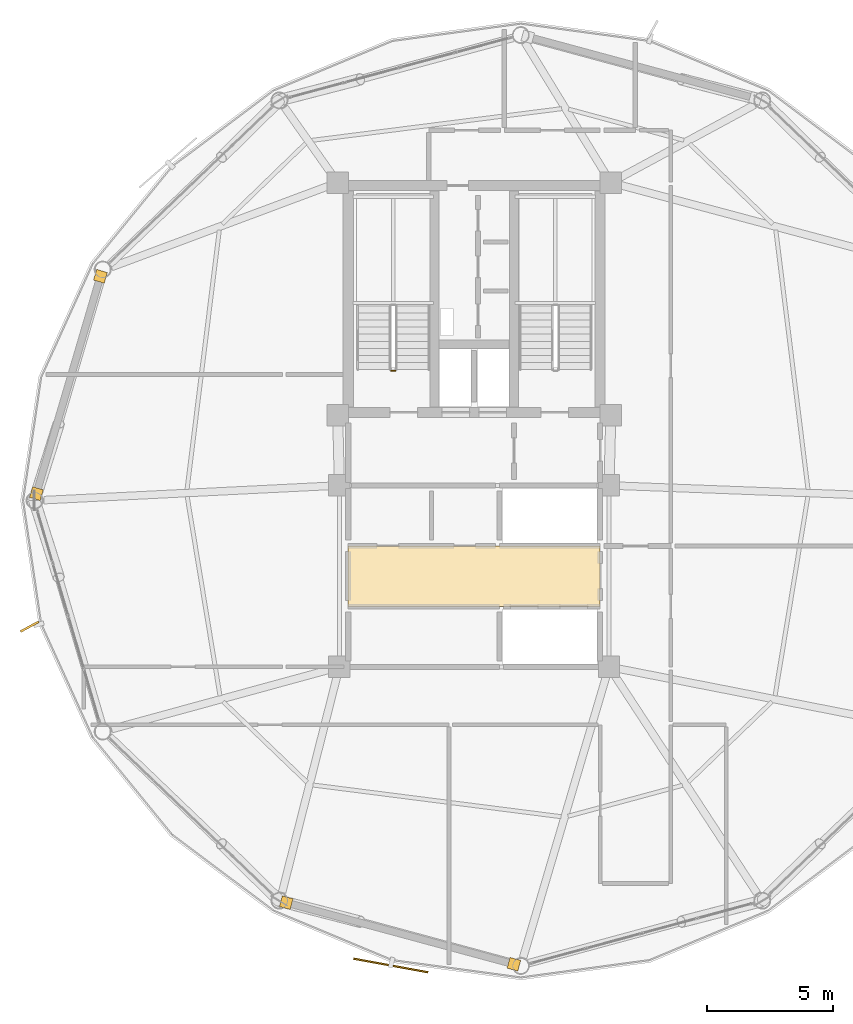
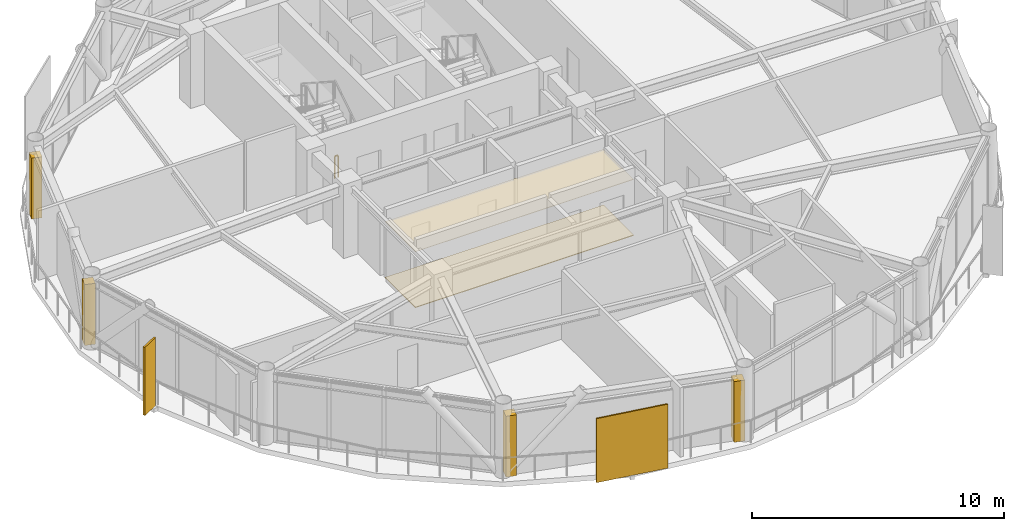
# One storey, part 25 of 28: 6 coverings, 2 shading devices, 1 railing.
"""IFC4 building model written with IfcOpenShell, lengths in metres."""

from ifc_helpers import new_model, si_unit, direction, frame, origin, origin_2d, place, context, subcontext, project, spatial, polyline, rectangle, outline, extrude, source, transform, mapped, material, layer, layer_set, type_object, type_shapes, element, save


model = new_model("IFC4")

# Units and contexts
model_context = context("Model", 3, precision=1e-05, world=origin(), true_north=direction((0.0, 1.0)))
body_context = subcontext(model_context, "Body", "Model", "MODEL_VIEW")
ifc_project = project(units=[si_unit("LENGTHUNIT", "METRE"), si_unit("AREAUNIT", "SQUARE_METRE"), si_unit("VOLUMEUNIT", "CUBIC_METRE"), si_unit("PLANEANGLEUNIT", "RADIAN"), si_unit("MASSUNIT", "GRAM", prefix="KILO")], contexts=[model_context])

# Site, building, storey
site_placement = place(None, origin())
site = spatial("IfcSite", under=ifc_project, at=site_placement, CompositionType="ELEMENT")
building_placement = place(site_placement, origin())
building = spatial("IfcBuilding", under=site, at=building_placement, Name="Varnakorn Sky Granary", CompositionType="ELEMENT")
storey_placement = place(building_placement, frame((0.0, 0.0, 204.0)))
storey = spatial("IfcBuildingStorey", under=building, at=storey_placement, Name="L51", CompositionType="ELEMENT", Elevation=204.0)

# Coverings
ifc_material_1 = material(Name="Perforated Acoustic Mineral-Fibre Ceiling", Category="gypsum")
ifc_layer_1 = layer(ifc_material_1, 0.02001953125, Name="Perforated Acoustic Mineral-Fibre Ceiling")
ifc_layer_set_1 = layer_set([ifc_layer_1], Name="Perforated Acoustic Mineral-Fibre Ceiling")
covering_type_1 = type_object("IfcCoveringType", Name="CV-CEIL-20", PredefinedType="CEILING", material=ifc_layer_set_1)
covering_1_placement = place(storey_placement, frame((0.0, 0.0, 2.7099609375)))
element("IfcCovering", 1, at=covering_1_placement, inside=storey, type_object=covering_type_1, Name="Lift Lobby Perforated Acoustic Ceiling L51", PredefinedType="CEILING", context=body_context, shape_type="SweptSolid", body=[
    extrude(outline(polyline([(-2.0, -4.199951171875), (8.0, -4.199951171875), (8.0, -1.800048828125), (-2.0, -1.800048828125), (-2.0, -4.199951171875)])), origin(), (0.0, 0.0, 1.0), 0.02001953125),
])
ifc_material_2 = material(Name="Honed Epoxy Terrazzo Topping", Category="concrete")
ifc_layer_2 = layer(ifc_material_2, 0.030029296875, Name="Honed Epoxy Terrazzo Topping")
ifc_layer_set_2 = layer_set([ifc_layer_2], Name="Honed Epoxy Terrazzo Topping")
covering_type_2 = type_object("IfcCoveringType", Name="CV-FLOR-30", PredefinedType="FLOORING", material=ifc_layer_set_2)
covering_2_placement = place(storey_placement, origin())
element("IfcCovering", 2, at=covering_2_placement, inside=storey, type_object=covering_type_2, Name="Lift Lobby Terrazzo Floor Finish L51", PredefinedType="FLOORING", context=body_context, shape_type="SweptSolid", body=[
    extrude(outline(polyline([(-2.0, -4.199951171875), (8.0, -4.199951171875), (8.0, -1.800048828125), (-2.0, -1.800048828125), (-2.0, -4.199951171875)])), origin(), (0.0, 0.0, 1.0), 0.030029296875),
])

# Railing
ifc_material_3 = material(Name="Brushed Stainless Steel 316", Category="steel")
railing_type = type_object("IfcRailingType", Name="RL-STAIR-1100", PredefinedType="GUARDRAIL", material=ifc_material_3)
railing_placement = place(storey_placement, frame((-0.139892578125, 5.14990234375, 0.0)))
element("IfcRailing", 3, at=railing_placement, inside=storey, type_object=railing_type, Name="L51 ST-1 stair guard 4", PredefinedType="GUARDRAIL", context=body_context, shape_type="SweptSolid", body=[
    extrude(rectangle(XDim=0.048095703125, YDim=0.048095703125, at=origin_2d()), frame((0.0, 0.0, 1.076171875), z_axis=(-1.0, 0.0, 0.0), x_axis=(0.0, -1.0, 0.0)), (0.0, 0.0, 1.0), 0.150146484375),
    extrude(rectangle(XDim=0.0419921875, YDim=0.0419921875, at=origin_2d()), origin(), (0.0, 0.0, 1.0), 1.048095703125),
    extrude(rectangle(XDim=0.0419921875, YDim=0.0419921875, at=origin_2d()), frame((-0.150146484375, 0.0, 0.0)), (0.0, 0.0, 1.0), 1.048095703125),
])

# Shading devices
ifc_material_4 = material(Name="Anodised Bronze Aluminium Alloy 6063-T6", Category="aluminium")
shading_device_type_1 = type_object("IfcShadingDeviceType", Name="SH-SCR-02", PredefinedType="USERDEFINED", material=ifc_material_4)
shared_shape_1 = source(origin(), body_context, "Body", "SweptSolid", [
    extrude(rectangle(XDim=3.0, YDim=0.06494140625, at=origin_2d()), origin(), (0.0, 0.0, 1.0), 3.10009765625),
])
type_shapes(shading_device_type_1, [shared_shape_1])
shading_device_1_placement = place(storey_placement, frame((-0.3115234375, -18.452392578125, -0.0400390625), z_axis=(0.0, 0.0, 1.0), x_axis=(0.983642092383, -0.180133933762, 0.0)))
element("IfcShadingDevice", 4, at=shading_device_1_placement, inside=storey, type_object=shading_device_type_1, Name="Perforated Bronze Solar Screen Panel SCREEN L51-09", ObjectType="SCREEN", PredefinedType="USERDEFINED", context=body_context, shape_type="MappedRepresentation", body=[
    mapped(shared_shape_1, transform((0.0, 0.0, 0.0), x_axis=(1.0, 0.0, 0.0), y_axis=(0.0, 1.0, 0.0), z_axis=(0.0, 0.0, 1.0), scale=1.0)),
])
shading_device_type_2 = type_object("IfcShadingDeviceType", Name="SH-FIN-02", PredefinedType="USERDEFINED", material=ifc_material_4)
shared_shape_2 = source(origin(), body_context, "Body", "SweptSolid", [
    extrude(rectangle(XDim=0.0849609375, YDim=0.820068359375, at=origin_2d()), origin(), (0.0, 0.0, 1.0), 3.300048828125),
])
type_shapes(shading_device_type_2, [shared_shape_2])
shading_device_2_placement = place(storey_placement, frame((-14.646484375, -5.004150390625, -0.0400390625), z_axis=(0.0, 0.0, 1.0), x_axis=(0.475893806083, -0.879502748905, 0.0)))
element("IfcShadingDevice", 5, at=shading_device_2_placement, inside=storey, type_object=shading_device_type_2, Name="Bronze Solar-Tracking Vertical Blade FIN L51-07", ObjectType="FIN", PredefinedType="USERDEFINED", context=body_context, shape_type="MappedRepresentation", body=[
    mapped(shared_shape_2, transform((0.0, 0.0, 0.0), x_axis=(1.0, 0.0, 0.0), y_axis=(0.0, 1.0, 0.0), z_axis=(0.0, 0.0, 1.0), scale=1.0)),
])

# Coverings
ifc_layer_3 = layer(ifc_material_4, 0.050048828125, Name="Anodised Bronze Aluminium Alloy 6063-T6")
ifc_layer_set_3 = layer_set([ifc_layer_3], Name="Anodised Bronze Aluminium Alloy 6063-T6")
covering_type_3 = type_object("IfcCoveringType", Name="CV-CLAD-50", PredefinedType="CLADDING", material=ifc_layer_set_3)
shared_shape_3 = source(origin(), body_context, "Body", "SweptSolid", [
    extrude(rectangle(XDim=0.43994140625, YDim=0.43994140625, at=origin_2d()), origin(), (0.0, 0.0, 1.0), 2.949951171875),
])
type_shapes(covering_type_3, [shared_shape_3])
for number, where, z_axis, x_axis, name in (
    (6, (-14.37744140625, 0.2734375, -0.02001953125), (0.0, 0.0, 1.0), (0.282676303383, 0.959215360337, 0.0), "Bronze Corner Pilaster Closure L51-P06-A"),
    (7, (-11.8349609375, 8.898681640625, -0.02001953125), (0.0, 0.0, 1.0), (0.282676303383, 0.959215360337, 0.0), "Bronze Corner Pilaster Closure L51-P06-B"),
    (8, (4.574951171875, -18.404541015625, -0.02001953125), (0.0, 0.0, 1.0), (-0.965336098699, 0.261009993198, 0.0), "Bronze Corner Pilaster Closure L51-P09-A"),
    (9, (-4.46142578125, -15.960693359375, -0.02001953125), (0.0, 0.0, 1.0), (-0.965336098699, 0.261009993198, 0.0), "Bronze Corner Pilaster Closure L51-P09-B"),
):
    element("IfcCovering", number, at=place(storey_placement, frame(where, z_axis=z_axis, x_axis=x_axis)), inside=storey, type_object=covering_type_3, Name=name, PredefinedType="CLADDING", context=body_context, shape_type="MappedRepresentation", body=[
        mapped(shared_shape_3, transform((0.0, 0.0, 0.0), x_axis=(1.0, 0.0, 0.0), y_axis=(0.0, 1.0, 0.0), z_axis=(0.0, 0.0, 1.0), scale=1.0)),
    ])

save(model, "model.ifc")
